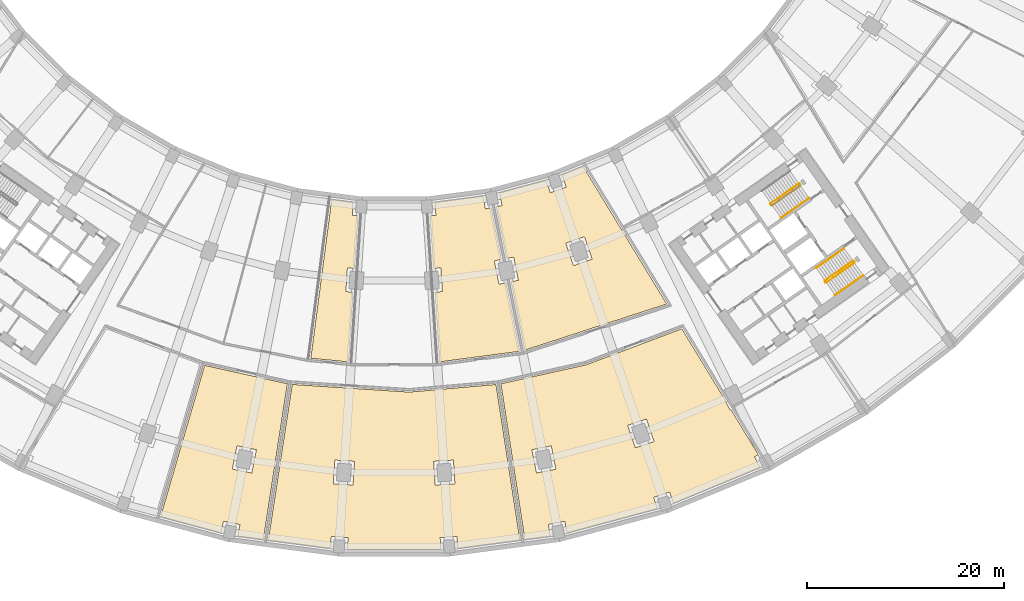
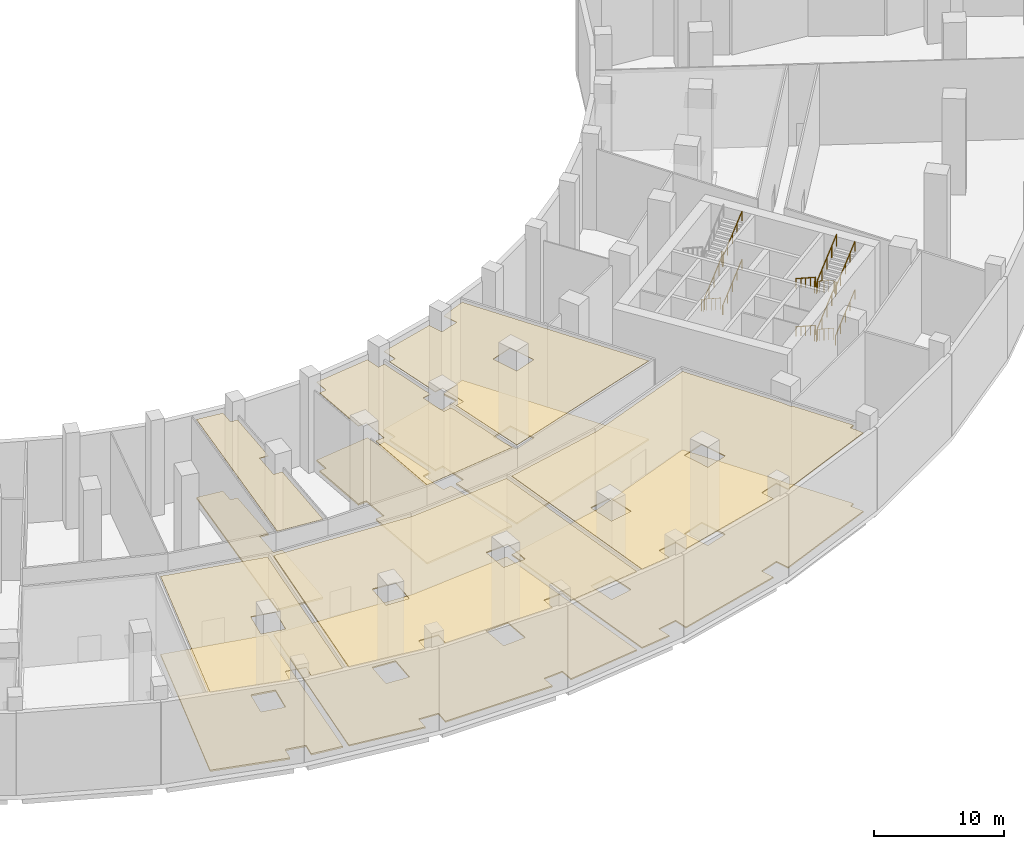
# One storey, part 16 of 17: 12 coverings, 12 railings.
"""IFC4 building model written with IfcOpenShell, lengths in metres."""

from ifc_helpers import new_model, si_unit, direction, frame, origin, origin_2d, place, context, subcontext, project, spatial, polyline, circle, outline, extrude, material, layer, layer_set, type_object, element, save


model = new_model("IFC4")

# Units and contexts
model_context = context("Model", 3, precision=1e-05, world=origin(), true_north=direction((0.0, 1.0)))
body_context = subcontext(model_context, "Body", "Model", "MODEL_VIEW")
ifc_project = project(units=[si_unit("LENGTHUNIT", "METRE"), si_unit("AREAUNIT", "SQUARE_METRE"), si_unit("VOLUMEUNIT", "CUBIC_METRE"), si_unit("PLANEANGLEUNIT", "RADIAN"), si_unit("MASSUNIT", "GRAM", prefix="KILO")], contexts=[model_context])

# Site, building, storey
site_placement = place(None, origin())
site = spatial("IfcSite", under=ifc_project, at=site_placement, CompositionType="ELEMENT")
building_placement = place(site_placement, origin())
building = spatial("IfcBuilding", under=site, at=building_placement, Name="Qamariyya Broadcast Tower", CompositionType="ELEMENT")
storey_placement = place(building_placement, frame((0.0, 0.0, 18.0)))
storey = spatial("IfcBuildingStorey", under=building, at=storey_placement, Name="L02", CompositionType="ELEMENT", Elevation=18.0)

# Coverings
ifc_material_1 = material(Name="Floating timber studio floor", Category="wood")
ifc_layer_1 = layer(ifc_material_1, 0.1201171875)
ifc_layer_set_1 = layer_set([ifc_layer_1], Name="Floating studio floor 120")
covering_type_1 = type_object("IfcCoveringType", Name="Floating studio floor 120", PredefinedType="FLOORING", material=ifc_layer_set_1)
covering_1_placement = place(storey_placement, origin())
element("IfcCovering", 1, at=covering_1_placement, inside=storey, type_object=covering_type_1, Name="Flooring L02-F03", PredefinedType="FLOORING", context=body_context, shape_type="SweptSolid", body=[
    extrude(outline(polyline([(10.3173828125, -68.663818359375), (12.74365234375, -84.42431640625), (6.439697265625, -85.254150390625), (6.361572265625, -84.06396484375), (4.665283203125, -84.175048828125), (4.743408203125, -85.365234375), (-4.743408203125, -85.365234375), (-4.665283203125, -84.175048828125), (-6.361572265625, -84.06396484375), (-6.439697265625, -85.254150390625), (-12.74365234375, -84.42431640625), (-10.316650390625, -68.65869140625), (1.51416015625, -69.434326171875), (10.3173828125, -68.663818359375)]), holes=[polyline([(4.165771484375, -78.846435546875), (6.161376953125, -78.715576171875), (6.00439453125, -76.32080078125), (4.0087890625, -76.451416015625), (4.165771484375, -78.846435546875)]), polyline([(-6.00439453125, -76.32080078125), (-6.161376953125, -78.715576171875), (-4.165771484375, -78.846435546875), (-4.0087890625, -76.451416015625), (-6.00439453125, -76.32080078125)])]), origin(), (0.0, 0.0, 1.0), 0.1201171875),
])
covering_2_placement = place(storey_placement, origin())
element("IfcCovering", 2, at=covering_2_placement, inside=storey, type_object=covering_type_1, Name="Flooring L02-F04", PredefinedType="FLOORING", context=body_context, shape_type="SweptSolid", body=[
    extrude(outline(polyline([(29.139404296875, -63.0234375), (33.504638671875, -70.20166015625), (34.021728515625, -71.25048828125), (34.114501953125, -71.20458984375), (36.9052734375, -75.793701171875), (36.522705078125, -75.982421875), (37.050048828125, -77.052001953125), (28.28564453125, -80.682373046875), (27.90234375, -79.552978515625), (26.29248046875, -80.099365234375), (26.67578125, -81.22900390625), (17.512451171875, -83.684326171875), (17.27978515625, -82.514404296875), (15.612548828125, -82.845947265625), (15.84521484375, -84.015869140625), (13.239501953125, -84.35888671875), (10.8115234375, -68.587646484375), (19.4375, -66.675048828125), (29.139404296875, -63.0234375)]), holes=[polyline([(24.4306640625, -75.08154296875), (26.324462890625, -74.438720703125), (25.55322265625, -72.166015625), (23.6591796875, -72.808837890625), (24.4306640625, -75.08154296875)]), polyline([(13.953369140625, -75.274169921875), (14.421630859375, -77.628173828125), (16.383056640625, -77.23779296875), (15.9150390625, -74.884033203125), (13.953369140625, -75.274169921875)])]), origin(), (0.0, 0.0, 1.0), 0.1201171875),
])
ifc_material_2 = material(Name="Raised access floor")
ifc_layer_2 = layer(ifc_material_2, 0.14990234375)
ifc_layer_set_2 = layer_set([ifc_layer_2], Name="Raised access floor 150")
covering_type_2 = type_object("IfcCoveringType", Name="Raised access floor 150", PredefinedType="FLOORING", material=ifc_layer_set_2)
covering_3_placement = place(storey_placement, origin())
element("IfcCovering", 3, at=covering_3_placement, inside=storey, type_object=covering_type_2, Name="Flooring L02-F02", PredefinedType="FLOORING", context=body_context, shape_type="SweptSolid", body=[
    extrude(outline(polyline([(-13.239501953125, -84.35888671875), (-15.84521484375, -84.015869140625), (-15.612548828125, -82.845947265625), (-17.27978515625, -82.514404296875), (-17.512451171875, -83.684326171875), (-23.654052734375, -82.03857421875), (-19.19140625, -66.729736328125), (-10.8115234375, -68.587646484375), (-13.239501953125, -84.35888671875)]), holes=[polyline([(-16.383056640625, -77.23779296875), (-14.421630859375, -77.628173828125), (-13.953369140625, -75.274169921875), (-15.9150390625, -74.884033203125), (-16.383056640625, -77.23779296875)])]), origin(), (0.0, 0.0, 1.0), 0.14990234375),
])
covering_4_placement = place(storey_placement, origin())
element("IfcCovering", 4, at=covering_4_placement, inside=storey, type_object=covering_type_2, Name="Flooring L02-F05", PredefinedType="FLOORING", context=body_context, shape_type="SweptSolid", body=[
    extrude(outline(polyline([(-6.3232421875, -49.9453125), (-4.144287109375, -50.232177734375), (-4.2294921875, -51.53369140625), (-3.630859375, -51.572998046875), (-3.980712890625, -56.91162109375), (-4.72900390625, -56.862548828125), (-4.885986328125, -59.25732421875), (-4.1376953125, -59.306396484375), (-4.6015625, -66.3828125), (-8.4375, -66.005126953125), (-6.3232421875, -49.9453125)])), origin(), (0.0, 0.0, 1.0), 0.14990234375),
])
covering_5_placement = place(storey_placement, origin())
element("IfcCovering", 5, at=covering_5_placement, inside=storey, type_object=covering_type_2, Name="Flooring L02-F06", PredefinedType="FLOORING", context=body_context, shape_type="SweptSolid", body=[
    extrude(outline(polyline([(4.1376953125, -59.306396484375), (4.885986328125, -59.25732421875), (4.72900390625, -56.862548828125), (3.980712890625, -56.91162109375), (3.630859375, -51.572998046875), (4.2294921875, -51.53369140625), (4.144287109375, -50.232177734375), (8.998046875, -49.59326171875), (9.25244140625, -50.872314453125), (9.841064453125, -50.75537109375), (10.884765625, -56.002685546875), (10.149169921875, -56.14892578125), (10.617431640625, -58.502685546875), (11.35302734375, -58.3564453125), (12.73486328125, -65.303466796875), (4.600830078125, -66.374267578125), (4.1376953125, -59.306396484375)])), origin(), (0.0, 0.0, 1.0), 0.14990234375),
])
covering_6_placement = place(storey_placement, origin())
element("IfcCovering", 6, at=covering_6_placement, inside=storey, type_object=covering_type_2, Name="Flooring L02-F07", PredefinedType="FLOORING", context=body_context, shape_type="SweptSolid", body=[
    extrude(outline(polyline([(13.222412109375, -65.191650390625), (11.84326171875, -58.259033203125), (12.578857421875, -58.112548828125), (12.110595703125, -55.7587890625), (11.375, -55.905029296875), (10.331298828125, -50.65771484375), (10.919921875, -50.540771484375), (10.665283203125, -49.26171875), (15.394287109375, -47.99462890625), (15.8134765625, -49.2294921875), (17.42333984375, -48.68310546875), (17.004150390625, -47.447998046875), (19.132080078125, -46.566650390625), (27.61279296875, -60.5126953125), (13.222412109375, -65.191650390625)]), holes=[polyline([(17.39111328125, -54.34375), (18.16259765625, -56.616455078125), (20.056396484375, -55.9736328125), (19.28515625, -53.700927734375), (17.39111328125, -54.34375)])]), origin(), (0.0, 0.0, 1.0), 0.14990234375),
])

# Railings
ifc_material_3 = material(Name="Painted steel", Category="steel")
railing_type_1 = type_object("IfcRailingType", Name="Stair guard", PredefinedType="GUARDRAIL", material=ifc_material_3)
railing_1_placement = place(storey_placement, frame((41.003173828125, -48.320068359375, 0.173095703125)))
element("IfcRailing", 7, at=railing_1_placement, inside=storey, type_object=railing_type_1, Name="L02 ST-E2 stair guard 1", PredefinedType="GUARDRAIL", context=body_context, shape_type="SweptSolid", body=[
    extrude(circle(Radius=0.02392578125, at=origin_2d()), frame((0.0, 0.0, 1.076171875), z_axis=(-0.703392637411, -0.492543525477, 0.512483827206), x_axis=(0.573594173421, -0.819139624372, 0.0)), (0.0, 0.0, 1.0), 4.052734375),
    extrude(circle(Radius=0.02392578125, at=origin_2d()), frame((-2.8505859375, -1.99609375, 3.15283203125), z_axis=(-0.172799478008, -0.984957024646, 0.0), x_axis=(0.984957024646, -0.172799478008, 0.0)), (0.0, 0.0, 1.0), 0.070556640625),
    extrude(circle(Radius=0.02392578125, at=origin_2d()), frame((-2.86279296875, -2.065673828125, 3.15283203125), z_axis=(0.573353020881, -0.819308436089, 0.0), x_axis=(0.819308436089, 0.573353020881, 0.0)), (0.0, 0.0, 1.0), 0.14990234375),
    extrude(circle(Radius=0.02099609375, at=origin_2d()), origin(), (0.0, 0.0, 1.0), 1.052001953125),
    extrude(circle(Radius=0.02099609375, at=origin_2d()), frame((-0.712646484375, -0.4990234375, 0.519287109375)), (0.0, 0.0, 1.0), 1.052001953125),
    extrude(circle(Radius=0.02099609375, at=origin_2d()), frame((-1.42529296875, -0.998046875, 1.03857421875)), (0.0, 0.0, 1.0), 1.052001953125),
    extrude(circle(Radius=0.02099609375, at=origin_2d()), frame((-2.137939453125, -1.4970703125, 1.5576171875)), (0.0, 0.0, 1.0), 1.052001953125),
    extrude(circle(Radius=0.02099609375, at=origin_2d()), frame((-2.8505859375, -1.99609375, 2.076904296875)), (0.0, 0.0, 1.0), 1.052001953125),
    extrude(circle(Radius=0.02099609375, at=origin_2d()), frame((-2.86279296875, -2.065673828125, 2.076904296875)), (0.0, 0.0, 1.0), 1.052001953125),
    extrude(circle(Radius=0.02099609375, at=origin_2d()), frame((-2.77685546875, -2.1884765625, 2.076904296875)), (0.0, 0.0, 1.0), 1.052001953125),
])
railing_2_placement = place(storey_placement, frame((38.2958984375, -50.52099609375, 2.423095703125)))
element("IfcRailing", 8, at=railing_2_placement, inside=storey, type_object=railing_type_1, Name="L02 ST-E2 stair guard 2", PredefinedType="GUARDRAIL", context=body_context, shape_type="SweptSolid", body=[
    extrude(circle(Radius=0.02392578125, at=origin_2d()), frame((0.0, 0.0, 1.076171875), z_axis=(0.703423072377, 0.49252265477, 0.512462111562), x_axis=(-0.573561211868, 0.819162704376, 0.0)), (0.0, 0.0, 1.0), 4.052734375),
    extrude(circle(Radius=0.02392578125, at=origin_2d()), frame((2.850830078125, 1.99609375, 3.15283203125), z_axis=(-0.35747155403, 0.93392402692, 0.0), x_axis=(-0.93392402692, -0.35747155403, 0.0)), (0.0, 0.0, 1.0), 0.206298828125),
    extrude(circle(Radius=0.02392578125, at=origin_2d()), frame((2.777099609375, 2.188720703125, 3.15283203125), z_axis=(0.572588637393, -0.819842821722, 0.0), x_axis=(0.819842821722, 0.572588637393, 0.0)), (0.0, 0.0, 1.0), 0.150146484375),
    extrude(circle(Radius=0.02099609375, at=origin_2d()), origin(), (0.0, 0.0, 1.0), 1.052001953125),
    extrude(circle(Radius=0.02099609375, at=origin_2d()), frame((0.712646484375, 0.4990234375, 0.519287109375)), (0.0, 0.0, 1.0), 1.052001953125),
    extrude(circle(Radius=0.02099609375, at=origin_2d()), frame((1.42529296875, 0.998046875, 1.03857421875)), (0.0, 0.0, 1.0), 1.052001953125),
    extrude(circle(Radius=0.02099609375, at=origin_2d()), frame((2.13818359375, 1.4970703125, 1.5576171875)), (0.0, 0.0, 1.0), 1.052001953125),
    extrude(circle(Radius=0.02099609375, at=origin_2d()), frame((2.850830078125, 1.99609375, 2.076904296875)), (0.0, 0.0, 1.0), 1.052001953125),
    extrude(circle(Radius=0.02099609375, at=origin_2d()), frame((2.777099609375, 2.188720703125, 2.076904296875)), (0.0, 0.0, 1.0), 1.052001953125),
    extrude(circle(Radius=0.02099609375, at=origin_2d()), frame((2.863037109375, 2.065673828125, 2.076904296875)), (0.0, 0.0, 1.0), 1.052001953125),
])
railing_3_placement = place(storey_placement, frame((46.48095703125, -56.14306640625, 0.173095703125)))
element("IfcRailing", 9, at=railing_3_placement, inside=storey, type_object=railing_type_1, Name="L02 ST-E1 stair guard 1", PredefinedType="GUARDRAIL", context=body_context, shape_type="SweptSolid", body=[
    extrude(circle(Radius=0.02392578125, at=origin_2d()), frame((0.0, 0.0, 1.076171875), z_axis=(-0.703413508203, -0.492497895646, 0.512499033426), x_axis=(0.57354709673, -0.81917258733, 0.0)), (0.0, 0.0, 1.0), 4.052490234375),
    extrude(circle(Radius=0.02392578125, at=origin_2d()), frame((-2.8505859375, -1.995849609375, 3.15283203125), z_axis=(-0.175552359694, -0.984470095537, 0.0), x_axis=(0.984470095537, -0.175552359694, 0.0)), (0.0, 0.0, 1.0), 0.071044921875),
    extrude(circle(Radius=0.02392578125, at=origin_2d()), frame((-2.863037109375, -2.065673828125, 3.15283203125), z_axis=(0.574444878118, -0.818543268254, 0.0), x_axis=(0.818543268254, 0.574444878118, 0.0)), (0.0, 0.0, 1.0), 0.150146484375),
    extrude(circle(Radius=0.02099609375, at=origin_2d()), origin(), (0.0, 0.0, 1.0), 1.052001953125),
    extrude(circle(Radius=0.02099609375, at=origin_2d()), frame((-0.712646484375, -0.4990234375, 0.519287109375)), (0.0, 0.0, 1.0), 1.052001953125),
    extrude(circle(Radius=0.02099609375, at=origin_2d()), frame((-1.42529296875, -0.998046875, 1.03857421875)), (0.0, 0.0, 1.0), 1.052001953125),
    extrude(circle(Radius=0.02099609375, at=origin_2d()), frame((-2.137939453125, -1.496826171875, 1.5576171875)), (0.0, 0.0, 1.0), 1.052001953125),
    extrude(circle(Radius=0.02099609375, at=origin_2d()), frame((-2.8505859375, -1.995849609375, 2.076904296875)), (0.0, 0.0, 1.0), 1.052001953125),
    extrude(circle(Radius=0.02099609375, at=origin_2d()), frame((-2.863037109375, -2.065673828125, 2.076904296875)), (0.0, 0.0, 1.0), 1.052001953125),
    extrude(circle(Radius=0.02099609375, at=origin_2d()), frame((-2.77685546875, -2.1884765625, 2.076904296875)), (0.0, 0.0, 1.0), 1.052001953125),
])
railing_4_placement = place(storey_placement, frame((43.773681640625, -58.34375, 2.423095703125)))
element("IfcRailing", 10, at=railing_4_placement, inside=storey, type_object=railing_type_1, Name="L02 ST-E1 stair guard 2", PredefinedType="GUARDRAIL", context=body_context, shape_type="SweptSolid", body=[
    extrude(circle(Radius=0.02392578125, at=origin_2d()), frame((0.0, 0.0, 1.076171875), z_axis=(0.703392637411, 0.492543525477, 0.512483827206), x_axis=(-0.573594173421, 0.819139624372, 0.0)), (0.0, 0.0, 1.0), 4.052734375),
    extrude(circle(Radius=0.02392578125, at=origin_2d()), frame((2.8505859375, 1.99609375, 3.15283203125), z_axis=(-0.357867132547, 0.933772518038, 0.0), x_axis=(-0.933772518038, -0.357867132547, 0.0)), (0.0, 0.0, 1.0), 0.2060546875),
    extrude(circle(Radius=0.02392578125, at=origin_2d()), frame((2.77685546875, 2.1884765625, 3.15283203125), z_axis=(0.574444878118, -0.818543268254, 0.0), x_axis=(0.818543268254, 0.574444878118, 0.0)), (0.0, 0.0, 1.0), 0.150146484375),
    extrude(circle(Radius=0.02099609375, at=origin_2d()), origin(), (0.0, 0.0, 1.0), 1.052001953125),
    extrude(circle(Radius=0.02099609375, at=origin_2d()), frame((0.712646484375, 0.4990234375, 0.519287109375)), (0.0, 0.0, 1.0), 1.052001953125),
    extrude(circle(Radius=0.02099609375, at=origin_2d()), frame((1.42529296875, 0.998046875, 1.03857421875)), (0.0, 0.0, 1.0), 1.052001953125),
    extrude(circle(Radius=0.02099609375, at=origin_2d()), frame((2.137939453125, 1.4970703125, 1.5576171875)), (0.0, 0.0, 1.0), 1.052001953125),
    extrude(circle(Radius=0.02099609375, at=origin_2d()), frame((2.8505859375, 1.99609375, 2.076904296875)), (0.0, 0.0, 1.0), 1.052001953125),
    extrude(circle(Radius=0.02099609375, at=origin_2d()), frame((2.77685546875, 2.1884765625, 2.076904296875)), (0.0, 0.0, 1.0), 1.052001953125),
    extrude(circle(Radius=0.02099609375, at=origin_2d()), frame((2.863037109375, 2.065673828125, 2.076904296875)), (0.0, 0.0, 1.0), 1.052001953125),
])
railing_5_placement = place(storey_placement, frame((46.48095703125, -56.14306640625, 4.673095703125)))
element("IfcRailing", 11, at=railing_5_placement, inside=storey, type_object=railing_type_1, Name="L02 ST-E1 stair guard 3", PredefinedType="GUARDRAIL", context=body_context, shape_type="SweptSolid", body=[
    extrude(circle(Radius=0.02392578125, at=origin_2d()), frame((0.0, 0.0, 1.076171875), z_axis=(-0.703413508203, -0.492497895646, 0.512499033426), x_axis=(0.57354709673, -0.81917258733, 0.0)), (0.0, 0.0, 1.0), 4.052490234375),
    extrude(circle(Radius=0.02392578125, at=origin_2d()), frame((-2.8505859375, -1.995849609375, 3.15283203125), z_axis=(-0.175552359694, -0.984470095537, 0.0), x_axis=(0.984470095537, -0.175552359694, 0.0)), (0.0, 0.0, 1.0), 0.071044921875),
    extrude(circle(Radius=0.02392578125, at=origin_2d()), frame((-2.863037109375, -2.065673828125, 3.15283203125), z_axis=(0.574444878118, -0.818543268254, 0.0), x_axis=(0.818543268254, 0.574444878118, 0.0)), (0.0, 0.0, 1.0), 0.150146484375),
    extrude(circle(Radius=0.02099609375, at=origin_2d()), origin(), (0.0, 0.0, 1.0), 1.052001953125),
    extrude(circle(Radius=0.02099609375, at=origin_2d()), frame((-0.712646484375, -0.4990234375, 0.519287109375)), (0.0, 0.0, 1.0), 1.052001953125),
    extrude(circle(Radius=0.02099609375, at=origin_2d()), frame((-1.42529296875, -0.998046875, 1.03857421875)), (0.0, 0.0, 1.0), 1.052001953125),
    extrude(circle(Radius=0.02099609375, at=origin_2d()), frame((-2.137939453125, -1.496826171875, 1.5576171875)), (0.0, 0.0, 1.0), 1.052001953125),
    extrude(circle(Radius=0.02099609375, at=origin_2d()), frame((-2.8505859375, -1.995849609375, 2.076904296875)), (0.0, 0.0, 1.0), 1.052001953125),
    extrude(circle(Radius=0.02099609375, at=origin_2d()), frame((-2.863037109375, -2.065673828125, 2.076904296875)), (0.0, 0.0, 1.0), 1.052001953125),
    extrude(circle(Radius=0.02099609375, at=origin_2d()), frame((-2.77685546875, -2.1884765625, 2.076904296875)), (0.0, 0.0, 1.0), 1.052001953125),
])
railing_6_placement = place(storey_placement, frame((43.773681640625, -58.34375, 6.923095703125)))
element("IfcRailing", 12, at=railing_6_placement, inside=storey, type_object=railing_type_1, Name="L02 ST-E1 stair guard 4", PredefinedType="GUARDRAIL", context=body_context, shape_type="SweptSolid", body=[
    extrude(circle(Radius=0.02392578125, at=origin_2d()), frame((0.0, 0.0, 1.076171875), z_axis=(0.703392637411, 0.492543525477, 0.512483827206), x_axis=(-0.573594173421, 0.819139624372, 0.0)), (0.0, 0.0, 1.0), 4.052734375),
    extrude(circle(Radius=0.02099609375, at=origin_2d()), origin(), (0.0, 0.0, 1.0), 1.052001953125),
    extrude(circle(Radius=0.02099609375, at=origin_2d()), frame((0.712646484375, 0.4990234375, 0.519287109375)), (0.0, 0.0, 1.0), 1.052001953125),
    extrude(circle(Radius=0.02099609375, at=origin_2d()), frame((1.42529296875, 0.998046875, 1.03857421875)), (0.0, 0.0, 1.0), 1.052001953125),
    extrude(circle(Radius=0.02099609375, at=origin_2d()), frame((2.137939453125, 1.4970703125, 1.5576171875)), (0.0, 0.0, 1.0), 1.052001953125),
    extrude(circle(Radius=0.02099609375, at=origin_2d()), frame((2.8505859375, 1.99609375, 2.076904296875)), (0.0, 0.0, 1.0), 1.052001953125),
])
ifc_material_4 = material(Name="Stainless steel", Category="steel")
railing_type_2 = type_object("IfcRailingType", Name="Stair handrail", PredefinedType="HANDRAIL", material=ifc_material_4)
for number, where, name in (
    (13, (39.18505859375, -51.79052734375, 2.423095703125), "L02 ST-E2 stair handrail 2"),
    (14, (39.18505859375, -51.79052734375, 6.923095703125), "L02 ST-E2 stair handrail 4"),
):
    element("IfcRailing", number, at=place(storey_placement, frame(where)), inside=storey, type_object=railing_type_2, Name=name, PredefinedType="HANDRAIL", context=body_context, shape_type="SweptSolid", body=[
        extrude(circle(Radius=0.02392578125, at=origin_2d()), frame((0.0, 0.0, 0.8759765625), z_axis=(0.703392637411, 0.492543525477, 0.512483827206), x_axis=(-0.573594173421, 0.819139624372, 0.0)), (0.0, 0.0, 1.0), 4.052734375),
        extrude(circle(Radius=0.02099609375, at=origin_2d()), origin(), (0.0, 0.0, 1.0), 0.851806640625),
        extrude(circle(Radius=0.02099609375, at=origin_2d()), frame((0.712646484375, 0.4990234375, 0.519287109375)), (0.0, 0.0, 1.0), 0.851806640625),
        extrude(circle(Radius=0.02099609375, at=origin_2d()), frame((1.42529296875, 0.998046875, 1.03857421875)), (0.0, 0.0, 1.0), 0.851806640625),
        extrude(circle(Radius=0.02099609375, at=origin_2d()), frame((2.137939453125, 1.4970703125, 1.5576171875)), (0.0, 0.0, 1.0), 0.851806640625),
        extrude(circle(Radius=0.02099609375, at=origin_2d()), frame((2.8505859375, 1.99609375, 2.076904296875)), (0.0, 0.0, 1.0), 0.851806640625),
    ])
railing_7_placement = place(storey_placement, frame((45.591796875, -54.873291015625, 0.173095703125)))
element("IfcRailing", 15, at=railing_7_placement, inside=storey, type_object=railing_type_2, Name="L02 ST-E1 stair handrail 1", PredefinedType="HANDRAIL", context=body_context, shape_type="SweptSolid", body=[
    extrude(circle(Radius=0.02392578125, at=origin_2d()), frame((0.0, 0.0, 0.8759765625), z_axis=(-0.703392637411, -0.492543525477, 0.512483827206), x_axis=(0.573594173421, -0.819139624372, 0.0)), (0.0, 0.0, 1.0), 4.052734375),
    extrude(circle(Radius=0.02099609375, at=origin_2d()), origin(), (0.0, 0.0, 1.0), 0.851806640625),
    extrude(circle(Radius=0.02099609375, at=origin_2d()), frame((-0.712646484375, -0.4990234375, 0.519287109375)), (0.0, 0.0, 1.0), 0.851806640625),
    extrude(circle(Radius=0.02099609375, at=origin_2d()), frame((-1.42529296875, -0.998046875, 1.03857421875)), (0.0, 0.0, 1.0), 0.851806640625),
    extrude(circle(Radius=0.02099609375, at=origin_2d()), frame((-2.137939453125, -1.4970703125, 1.5576171875)), (0.0, 0.0, 1.0), 0.851806640625),
    extrude(circle(Radius=0.02099609375, at=origin_2d()), frame((-2.8505859375, -1.99609375, 2.076904296875)), (0.0, 0.0, 1.0), 0.851806640625),
])
railing_8_placement = place(storey_placement, frame((44.66259765625, -59.613525390625, 2.423095703125)))
element("IfcRailing", 16, at=railing_8_placement, inside=storey, type_object=railing_type_2, Name="L02 ST-E1 stair handrail 2", PredefinedType="HANDRAIL", context=body_context, shape_type="SweptSolid", body=[
    extrude(circle(Radius=0.02392578125, at=origin_2d()), frame((0.0, 0.0, 0.8759765625), z_axis=(0.703423072377, 0.49252265477, 0.512462111562), x_axis=(-0.573561211868, 0.819162704376, 0.0)), (0.0, 0.0, 1.0), 4.052734375),
    extrude(circle(Radius=0.02099609375, at=origin_2d()), origin(), (0.0, 0.0, 1.0), 0.851806640625),
    extrude(circle(Radius=0.02099609375, at=origin_2d()), frame((0.712646484375, 0.4990234375, 0.519287109375)), (0.0, 0.0, 1.0), 0.851806640625),
    extrude(circle(Radius=0.02099609375, at=origin_2d()), frame((1.42529296875, 0.998046875, 1.03857421875)), (0.0, 0.0, 1.0), 0.851806640625),
    extrude(circle(Radius=0.02099609375, at=origin_2d()), frame((2.13818359375, 1.4970703125, 1.5576171875)), (0.0, 0.0, 1.0), 0.851806640625),
    extrude(circle(Radius=0.02099609375, at=origin_2d()), frame((2.850830078125, 1.99609375, 2.076904296875)), (0.0, 0.0, 1.0), 0.851806640625),
])
railing_9_placement = place(storey_placement, frame((45.591796875, -54.873291015625, 4.673095703125)))
element("IfcRailing", 17, at=railing_9_placement, inside=storey, type_object=railing_type_2, Name="L02 ST-E1 stair handrail 3", PredefinedType="HANDRAIL", context=body_context, shape_type="SweptSolid", body=[
    extrude(circle(Radius=0.02392578125, at=origin_2d()), frame((0.0, 0.0, 0.8759765625), z_axis=(-0.703392637411, -0.492543525477, 0.512483827206), x_axis=(0.573594173421, -0.819139624372, 0.0)), (0.0, 0.0, 1.0), 4.052734375),
    extrude(circle(Radius=0.02099609375, at=origin_2d()), origin(), (0.0, 0.0, 1.0), 0.851806640625),
    extrude(circle(Radius=0.02099609375, at=origin_2d()), frame((-0.712646484375, -0.4990234375, 0.519287109375)), (0.0, 0.0, 1.0), 0.851806640625),
    extrude(circle(Radius=0.02099609375, at=origin_2d()), frame((-1.42529296875, -0.998046875, 1.03857421875)), (0.0, 0.0, 1.0), 0.851806640625),
    extrude(circle(Radius=0.02099609375, at=origin_2d()), frame((-2.137939453125, -1.4970703125, 1.5576171875)), (0.0, 0.0, 1.0), 0.851806640625),
    extrude(circle(Radius=0.02099609375, at=origin_2d()), frame((-2.8505859375, -1.99609375, 2.076904296875)), (0.0, 0.0, 1.0), 0.851806640625),
])
railing_10_placement = place(storey_placement, frame((44.66259765625, -59.613525390625, 6.923095703125)))
element("IfcRailing", 18, at=railing_10_placement, inside=storey, type_object=railing_type_2, Name="L02 ST-E1 stair handrail 4", PredefinedType="HANDRAIL", context=body_context, shape_type="SweptSolid", body=[
    extrude(circle(Radius=0.02392578125, at=origin_2d()), frame((0.0, 0.0, 0.8759765625), z_axis=(0.703423072377, 0.49252265477, 0.512462111562), x_axis=(-0.573561211868, 0.819162704376, 0.0)), (0.0, 0.0, 1.0), 4.052734375),
    extrude(circle(Radius=0.02099609375, at=origin_2d()), origin(), (0.0, 0.0, 1.0), 0.851806640625),
    extrude(circle(Radius=0.02099609375, at=origin_2d()), frame((0.712646484375, 0.4990234375, 0.519287109375)), (0.0, 0.0, 1.0), 0.851806640625),
    extrude(circle(Radius=0.02099609375, at=origin_2d()), frame((1.42529296875, 0.998046875, 1.03857421875)), (0.0, 0.0, 1.0), 0.851806640625),
    extrude(circle(Radius=0.02099609375, at=origin_2d()), frame((2.13818359375, 1.4970703125, 1.5576171875)), (0.0, 0.0, 1.0), 0.851806640625),
    extrude(circle(Radius=0.02099609375, at=origin_2d()), frame((2.850830078125, 1.99609375, 2.076904296875)), (0.0, 0.0, 1.0), 0.851806640625),
])

# Coverings
ifc_material_5 = material(Name="Acoustic mineral fibre ceiling")
ifc_layer_3 = layer(ifc_material_5, 0.10009765625)
ifc_layer_set_3 = layer_set([ifc_layer_3], Name="Studio acoustic ceiling 100")
covering_type_3 = type_object("IfcCoveringType", Name="Studio acoustic ceiling 100", PredefinedType="CEILING", material=ifc_layer_set_3)
covering_7_placement = place(storey_placement, frame((0.0, 0.0, 7.35009765625)))
element("IfcCovering", 19, at=covering_7_placement, inside=storey, type_object=covering_type_3, Name="Ceiling L02-C03", PredefinedType="CEILING", context=body_context, shape_type="SweptSolid", body=[
    extrude(outline(polyline([(10.3173828125, -68.663818359375), (12.74365234375, -84.42431640625), (6.439697265625, -85.254150390625), (6.361572265625, -84.06396484375), (4.665283203125, -84.175048828125), (4.743408203125, -85.365234375), (-4.743408203125, -85.365234375), (-4.665283203125, -84.175048828125), (-6.361572265625, -84.06396484375), (-6.439697265625, -85.254150390625), (-12.74365234375, -84.42431640625), (-10.316650390625, -68.65869140625), (1.51416015625, -69.434326171875), (10.3173828125, -68.663818359375)]), holes=[polyline([(4.165771484375, -78.846435546875), (6.161376953125, -78.715576171875), (6.00439453125, -76.32080078125), (4.0087890625, -76.451416015625), (4.165771484375, -78.846435546875)]), polyline([(-6.00439453125, -76.32080078125), (-6.161376953125, -78.715576171875), (-4.165771484375, -78.846435546875), (-4.0087890625, -76.451416015625), (-6.00439453125, -76.32080078125)])]), origin(), (0.0, 0.0, 1.0), 0.099853515625),
])
covering_8_placement = place(storey_placement, frame((0.0, 0.0, 7.35009765625)))
element("IfcCovering", 20, at=covering_8_placement, inside=storey, type_object=covering_type_3, Name="Ceiling L02-C04", PredefinedType="CEILING", context=body_context, shape_type="SweptSolid", body=[
    extrude(outline(polyline([(29.139404296875, -63.0234375), (33.504638671875, -70.20166015625), (34.021728515625, -71.25048828125), (34.114501953125, -71.20458984375), (36.9052734375, -75.793701171875), (36.522705078125, -75.982421875), (37.050048828125, -77.052001953125), (28.28564453125, -80.682373046875), (27.90234375, -79.552978515625), (26.29248046875, -80.099365234375), (26.67578125, -81.22900390625), (17.512451171875, -83.684326171875), (17.27978515625, -82.514404296875), (15.612548828125, -82.845947265625), (15.84521484375, -84.015869140625), (13.239501953125, -84.35888671875), (10.8115234375, -68.587646484375), (19.4375, -66.675048828125), (29.139404296875, -63.0234375)]), holes=[polyline([(24.4306640625, -75.08154296875), (26.324462890625, -74.438720703125), (25.55322265625, -72.166015625), (23.6591796875, -72.808837890625), (24.4306640625, -75.08154296875)]), polyline([(13.953369140625, -75.274169921875), (14.421630859375, -77.628173828125), (16.383056640625, -77.23779296875), (15.9150390625, -74.884033203125), (13.953369140625, -75.274169921875)])]), origin(), (0.0, 0.0, 1.0), 0.099853515625),
])
ifc_material_6 = material(Name="Perforated plasterboard ceiling")
ifc_layer_4 = layer(ifc_material_6, 0.06005859375)
ifc_layer_set_4 = layer_set([ifc_layer_4], Name="Suspended acoustic ceiling 60")
covering_type_4 = type_object("IfcCoveringType", Name="Suspended acoustic ceiling 60", PredefinedType="CEILING", material=ifc_layer_set_4)
covering_9_placement = place(storey_placement, frame((0.0, 0.0, 7.389892578125)))
element("IfcCovering", 21, at=covering_9_placement, inside=storey, type_object=covering_type_4, Name="Ceiling L02-C02", PredefinedType="CEILING", context=body_context, shape_type="SweptSolid", body=[
    extrude(outline(polyline([(-13.239501953125, -84.35888671875), (-15.84521484375, -84.015869140625), (-15.612548828125, -82.845947265625), (-17.27978515625, -82.514404296875), (-17.512451171875, -83.684326171875), (-23.654052734375, -82.03857421875), (-19.19140625, -66.729736328125), (-10.8115234375, -68.587646484375), (-13.239501953125, -84.35888671875)]), holes=[polyline([(-16.383056640625, -77.23779296875), (-14.421630859375, -77.628173828125), (-13.953369140625, -75.274169921875), (-15.9150390625, -74.884033203125), (-16.383056640625, -77.23779296875)])]), origin(), (0.0, 0.0, 1.0), 0.06005859375),
])
covering_10_placement = place(storey_placement, frame((0.0, 0.0, 7.389892578125)))
element("IfcCovering", 22, at=covering_10_placement, inside=storey, type_object=covering_type_4, Name="Ceiling L02-C05", PredefinedType="CEILING", context=body_context, shape_type="SweptSolid", body=[
    extrude(outline(polyline([(-6.3232421875, -49.9453125), (-4.144287109375, -50.232177734375), (-4.2294921875, -51.53369140625), (-3.630859375, -51.572998046875), (-3.980712890625, -56.91162109375), (-4.72900390625, -56.862548828125), (-4.885986328125, -59.25732421875), (-4.1376953125, -59.306396484375), (-4.6015625, -66.3828125), (-8.4375, -66.005126953125), (-6.3232421875, -49.9453125)])), origin(), (0.0, 0.0, 1.0), 0.06005859375),
])
covering_11_placement = place(storey_placement, frame((0.0, 0.0, 7.389892578125)))
element("IfcCovering", 23, at=covering_11_placement, inside=storey, type_object=covering_type_4, Name="Ceiling L02-C06", PredefinedType="CEILING", context=body_context, shape_type="SweptSolid", body=[
    extrude(outline(polyline([(4.1376953125, -59.306396484375), (4.885986328125, -59.25732421875), (4.72900390625, -56.862548828125), (3.980712890625, -56.91162109375), (3.630859375, -51.572998046875), (4.2294921875, -51.53369140625), (4.144287109375, -50.232177734375), (8.998046875, -49.59326171875), (9.25244140625, -50.872314453125), (9.841064453125, -50.75537109375), (10.884765625, -56.002685546875), (10.149169921875, -56.14892578125), (10.617431640625, -58.502685546875), (11.35302734375, -58.3564453125), (12.73486328125, -65.303466796875), (4.600830078125, -66.374267578125), (4.1376953125, -59.306396484375)])), origin(), (0.0, 0.0, 1.0), 0.06005859375),
])
covering_12_placement = place(storey_placement, frame((0.0, 0.0, 7.389892578125)))
element("IfcCovering", 24, at=covering_12_placement, inside=storey, type_object=covering_type_4, Name="Ceiling L02-C07", PredefinedType="CEILING", context=body_context, shape_type="SweptSolid", body=[
    extrude(outline(polyline([(13.222412109375, -65.191650390625), (11.84326171875, -58.259033203125), (12.578857421875, -58.112548828125), (12.110595703125, -55.7587890625), (11.375, -55.905029296875), (10.331298828125, -50.65771484375), (10.919921875, -50.540771484375), (10.665283203125, -49.26171875), (15.394287109375, -47.99462890625), (15.8134765625, -49.2294921875), (17.42333984375, -48.68310546875), (17.004150390625, -47.447998046875), (19.132080078125, -46.566650390625), (27.61279296875, -60.5126953125), (13.222412109375, -65.191650390625)]), holes=[polyline([(17.39111328125, -54.34375), (18.16259765625, -56.616455078125), (20.056396484375, -55.9736328125), (19.28515625, -53.700927734375), (17.39111328125, -54.34375)])]), origin(), (0.0, 0.0, 1.0), 0.06005859375),
])

save(model, "model.ifc")
